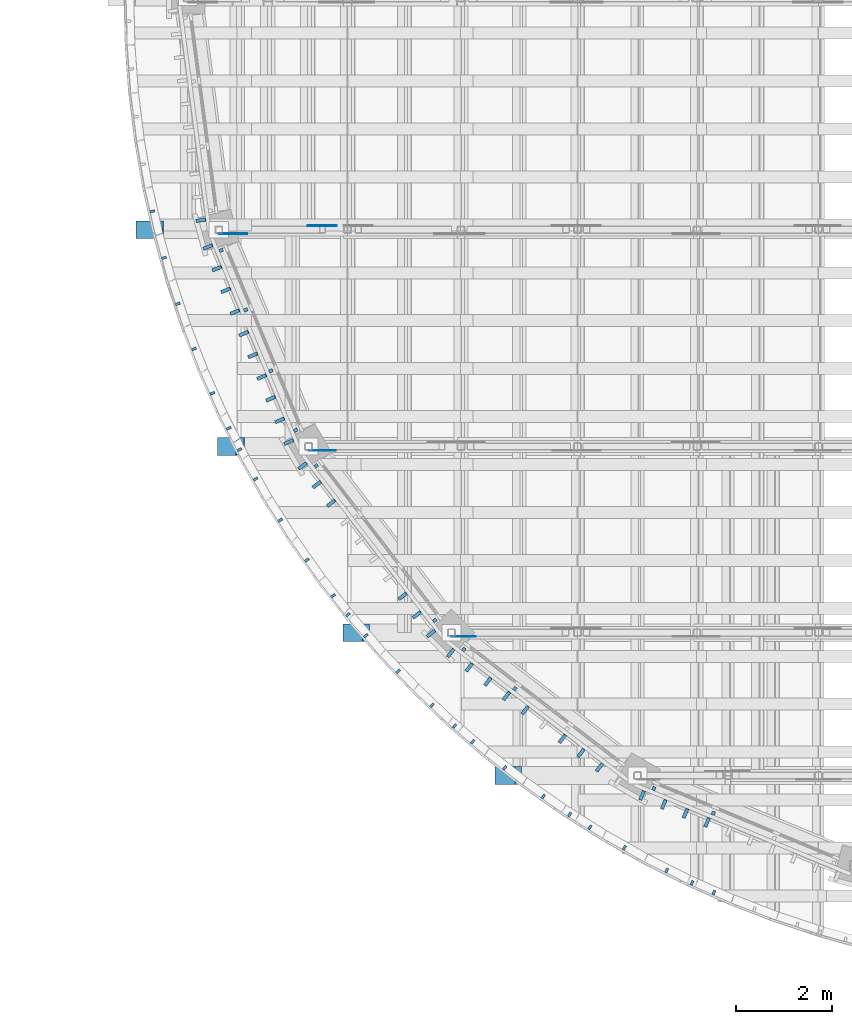
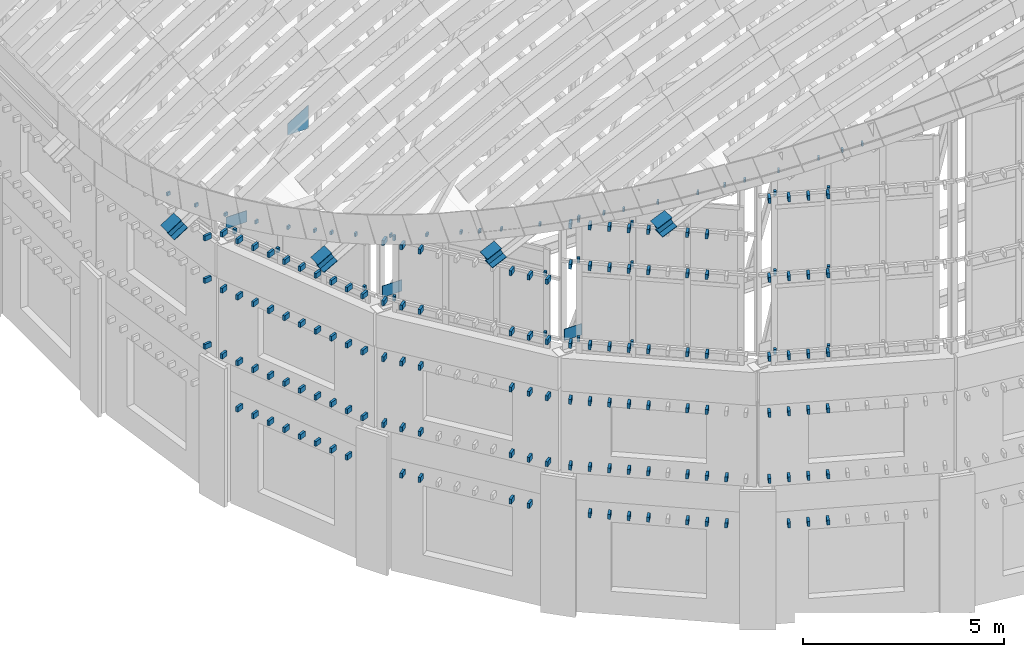
# One storey, part 67 of 105: 188 discrete accessories.
"""IFC4 building model written with IfcOpenShell, lengths in metres."""

from ifc_helpers import new_model, si_unit, direction, frame, origin, origin_2d, place, context, subcontext, project, spatial, polyline, rectangle, i_section, outline, extrude, material, material_profile, profile_set, type_object, element, save


model = new_model("IFC4")

# Units and contexts
model_context = context("Model", 3, precision=1e-05, world=origin(), true_north=direction((0.0, 1.0)))
body_context = subcontext(model_context, "Body", "Model", "MODEL_VIEW")
ifc_project = project(units=[si_unit("LENGTHUNIT", "METRE"), si_unit("AREAUNIT", "SQUARE_METRE"), si_unit("VOLUMEUNIT", "CUBIC_METRE"), si_unit("PLANEANGLEUNIT", "RADIAN"), si_unit("MASSUNIT", "GRAM", prefix="KILO")], contexts=[model_context])

# Site, building, storey
site_placement = place(None, origin())
site = spatial("IfcSite", under=ifc_project, at=site_placement, CompositionType="ELEMENT")
building_placement = place(site_placement, origin())
building = spatial("IfcBuilding", under=site, at=building_placement, Name="Wasatch Bagh Community Centre", CompositionType="ELEMENT")
storey_placement = place(building_placement, frame((0.0, 0.0, 16.800048828125)))
storey = spatial("IfcBuildingStorey", under=building, at=storey_placement, Name="L04", CompositionType="ELEMENT", Elevation=16.800048828125)

# Discrete accessories
ifc_material_1 = material(Name="ASTM A36 steel", Category="steel")
discrete_accessory_type_1 = type_object("IfcDiscreteAccessoryType", Name="MH fascia bracket", PredefinedType="BRACKET", material=ifc_material_1)
for number, where, z_axis, x_axis, name in (
    (1, (28.2158203125, 16.320068359375, 15.327392578125), (0.0, 0.0, 1.0), (-0.405241314005, -0.914209755704, 0.0), "Fascia bracket 49"),
    (2, (27.75927734375, 16.5224609375, 15.172607421875), (0.0, 0.0, 1.0), (-0.405241314005, -0.914209755704, 0.0), "Fascia bracket 50"),
    (3, (27.230712890625, 16.78369140625, 14.9580078125), (0.0, 0.0, 1.0), (-0.449611329655, -0.893224301196, 0.0), "Fascia bracket 51"),
    (4, (26.347900390625, 17.255615234375, 14.5986328125), (0.0, 0.0, 1.0), (-0.49289819223, -0.870086991109, 0.0), "Fascia bracket 52"),
    (5, (25.629150390625, 17.681640625, 14.306396484375), (0.0, 0.0, 1.0), (-0.534997619887, -0.84485356525, 0.0), "Fascia bracket 53"),
    (6, (25.207275390625, 17.94873046875, 14.136962890625), (0.0, 0.0, 1.0), (-0.534997619887, -0.84485356525, 0.0), "Fascia bracket 54"),
    (7, (24.656982421875, 18.326171875, 13.87939453125), (0.0, 0.0, 1.0), (-0.575808191418, -0.817584813152, 0.0), "Fascia bracket 55"),
    (8, (23.85302734375, 18.922607421875, 13.5029296875), (0.0, 0.0, 1.0), (-0.615231590581, -0.788346427627, 0.0), "Fascia bracket 56"),
    (9, (23.18408203125, 19.46728515625, 13.189697265625), (0.0, 0.0, 1.0), (-0.653172842954, -0.757208846506, 0.0), "Fascia bracket 57"),
    (10, (22.805908203125, 19.79345703125, 13.0185546875), (0.0, 0.0, 1.0), (-0.653172842954, -0.757208846506, 0.0), "Fascia bracket 58"),
    (11, (22.337646484375, 20.229736328125, 12.769287109375), (0.0, 0.0, 1.0), (-0.689540544737, -0.724247082951, 0.0), "Fascia bracket 59"),
    (12, (21.6298828125, 20.9375, 12.392333984375), (0.0, 0.0, 1.0), (-0.724247082951, -0.689540544737, 0.0), "Fascia bracket 60"),
    (13, (20.95751953125, 21.67919921875, 12.033935546875), (0.0, 0.0, 1.0), (-0.757208846506, -0.653172842954, 0.0), "Fascia bracket 61"),
    (14, (20.582763671875, 22.11962890625, 11.834716796875), (0.0, 0.0, 1.0), (-0.788346427627, -0.615231590581, 0.0), "Fascia bracket 62"),
    (15, (20.275390625, 22.513427734375, 11.66796875), (0.0, 0.0, 1.0), (-0.788346427627, -0.615231590581, 0.0), "Fascia bracket 63"),
    (16, (19.726318359375, 23.257080078125, 11.337890625), (0.0, 0.0, 1.0), (-0.817584813152, -0.575808191418, 0.0), "Fascia bracket 64"),
    (17, (19.170166015625, 24.08935546875, 11.003662109375), (0.0, 0.0, 1.0), (-0.84485356525, -0.534997619887, 0.0), "Fascia bracket 65"),
    (18, (18.655517578125, 24.947998046875, 10.694580078125), (0.0, 0.0, 1.0), (-0.870086991109, -0.49289819223, 0.0), "Fascia bracket 66"),
    (19, (18.3193359375, 25.56103515625, 10.49267578125), (0.0, 0.0, 1.0), (-0.893224301196, -0.449611329655, 0.0), "Fascia bracket 67"),
    (20, (18.094970703125, 26.007080078125, 10.365234375), (0.0, 0.0, 1.0), (-0.893224301196, -0.449611329655, 0.0), "Fascia bracket 68"),
    (21, (17.755615234375, 26.735595703125, 10.136962890625), (0.0, 0.0, 1.0), (-0.914209755704, -0.405241314005, 0.0), "Fascia bracket 69"),
    (22, (17.37255859375, 27.660400390625, 9.87890625), (0.0, 0.0, 1.0), (-0.932992798835, -0.359895036535, 0.0), "Fascia bracket 70"),
    (23, (17.035400390625, 28.602783203125, 9.65185546875), (0.0, 0.0, 1.0), (-0.949528180593, -0.313681740399, 0.0), "Fascia bracket 71"),
    (24, (16.744873046875, 29.560791015625, 9.4560546875), (0.0, 0.0, 1.0), (-0.963776065795, -0.266712757475, 0.0), "Fascia bracket 72"),
    (25, (16.501708984375, 30.53173828125, 9.292236328125), (0.0, 0.0, 1.0), (-0.975702130039, -0.219101240157, 0.0), "Fascia bracket 73"),
):
    element("IfcDiscreteAccessory", number, at=place(storey_placement, frame(where, z_axis=z_axis, x_axis=x_axis)), inside=storey, type_object=discrete_accessory_type_1, Name=name, PredefinedType="BRACKET", context=body_context, shape_type="SweptSolid", body=[
        extrude(rectangle(XDim=0.10009765625, YDim=0.050048828125, at=origin_2d()), origin(), (0.0, 0.0, 1.0), 0.10009765625),
    ])
discrete_accessory_type_2 = type_object("IfcDiscreteAccessoryType", Name="MH fin bracket", PredefinedType="BRACKET", material=ifc_material_1)
for number, where, z_axis, x_axis, name in (
    (26, (17.510009765625, 30.343994140625, 4.425048828125), (0.0, 0.0, 1.0), (0.13052619222, -0.991444861374, 0.0), "Fin bracket 1.10.5"),
    (27, (17.510009765625, 30.343994140625, 6.425048828125), (0.0, 0.0, 1.0), (0.13052619222, -0.991444861374, 0.0), "Fin bracket 1.10.6"),
    (28, (17.6591796875, 29.787109375, 4.425048828125), (0.0, 0.0, 1.0), (0.382683432365, -0.923879532511, 0.0), "Fin bracket 2.1.5"),
    (29, (17.6591796875, 29.787109375, 6.425048828125), (0.0, 0.0, 1.0), (0.382683432365, -0.923879532511, 0.0), "Fin bracket 2.1.6"),
    (30, (17.846435546875, 29.3349609375, 3.02490234375), (0.0, 0.0, 1.0), (0.382683432365, -0.923879532511, 0.0), "Fin bracket 2.2.4"),
    (31, (17.846435546875, 29.3349609375, 4.425048828125), (0.0, 0.0, 1.0), (0.382683432365, -0.923879532511, 0.0), "Fin bracket 2.2.5"),
    (32, (17.846435546875, 29.3349609375, 6.425048828125), (0.0, 0.0, 1.0), (0.382683432365, -0.923879532511, 0.0), "Fin bracket 2.2.6"),
    (33, (18.033935546875, 28.882568359375, 3.02490234375), (0.0, 0.0, 1.0), (0.382683432365, -0.923879532511, 0.0), "Fin bracket 2.3.4"),
    (34, (18.033935546875, 28.882568359375, 4.425048828125), (0.0, 0.0, 1.0), (0.382683432365, -0.923879532511, 0.0), "Fin bracket 2.3.5"),
    (35, (18.033935546875, 28.882568359375, 6.425048828125), (0.0, 0.0, 1.0), (0.382683432365, -0.923879532511, 0.0), "Fin bracket 2.3.6"),
    (36, (18.22119140625, 28.430419921875, 3.02490234375), (0.0, 0.0, 1.0), (0.382683432365, -0.923879532511, 0.0), "Fin bracket 2.4.4"),
    (37, (18.22119140625, 28.430419921875, 4.425048828125), (0.0, 0.0, 1.0), (0.382683432365, -0.923879532511, 0.0), "Fin bracket 2.4.5"),
    (38, (18.22119140625, 28.430419921875, 6.425048828125), (0.0, 0.0, 1.0), (0.382683432365, -0.923879532511, 0.0), "Fin bracket 2.4.6"),
    (39, (18.408447265625, 27.978271484375, 3.02490234375), (0.0, 0.0, 1.0), (0.382683432365, -0.923879532511, 0.0), "Fin bracket 2.5.4"),
    (40, (18.408447265625, 27.978271484375, 4.425048828125), (0.0, 0.0, 1.0), (0.382683432365, -0.923879532511, 0.0), "Fin bracket 2.5.5"),
    (41, (18.408447265625, 27.978271484375, 6.425048828125), (0.0, 0.0, 1.0), (0.382683432365, -0.923879532511, 0.0), "Fin bracket 2.5.6"),
    (42, (18.595703125, 27.526123046875, 3.02490234375), (0.0, 0.0, 1.0), (0.382683432365, -0.923879532511, 0.0), "Fin bracket 2.6.4"),
    (43, (18.595703125, 27.526123046875, 4.425048828125), (0.0, 0.0, 1.0), (0.382683432365, -0.923879532511, 0.0), "Fin bracket 2.6.5"),
    (44, (18.595703125, 27.526123046875, 6.425048828125), (0.0, 0.0, 1.0), (0.382683432365, -0.923879532511, 0.0), "Fin bracket 2.6.6"),
    (45, (18.782958984375, 27.07373046875, 3.02490234375), (0.0, 0.0, 1.0), (0.382683432365, -0.923879532511, 0.0), "Fin bracket 2.7.4"),
    (46, (18.782958984375, 27.07373046875, 4.425048828125), (0.0, 0.0, 1.0), (0.382683432365, -0.923879532511, 0.0), "Fin bracket 2.7.5"),
    (47, (18.782958984375, 27.07373046875, 6.425048828125), (0.0, 0.0, 1.0), (0.382683432365, -0.923879532511, 0.0), "Fin bracket 2.7.6"),
    (48, (18.970458984375, 26.62158203125, 3.02490234375), (0.0, 0.0, 1.0), (0.382683432365, -0.923879532511, 0.0), "Fin bracket 2.8.4"),
    (49, (18.970458984375, 26.62158203125, 4.425048828125), (0.0, 0.0, 1.0), (0.382683432365, -0.923879532511, 0.0), "Fin bracket 2.8.5"),
    (50, (18.970458984375, 26.62158203125, 6.425048828125), (0.0, 0.0, 1.0), (0.382683432365, -0.923879532511, 0.0), "Fin bracket 2.8.6"),
    (51, (19.15771484375, 26.16943359375, 3.02490234375), (0.0, 0.0, 1.0), (0.382683432365, -0.923879532511, 0.0), "Fin bracket 2.9.4"),
    (52, (19.15771484375, 26.16943359375, 4.425048828125), (0.0, 0.0, 1.0), (0.382683432365, -0.923879532511, 0.0), "Fin bracket 2.9.5"),
    (53, (19.15771484375, 26.16943359375, 6.425048828125), (0.0, 0.0, 1.0), (0.382683432365, -0.923879532511, 0.0), "Fin bracket 2.9.6"),
    (54, (19.344970703125, 25.71728515625, 4.425048828125), (0.0, 0.0, 1.0), (0.382683432365, -0.923879532511, 0.0), "Fin bracket 2.10.5"),
    (55, (19.344970703125, 25.71728515625, 6.425048828125), (0.0, 0.0, 1.0), (0.382683432365, -0.923879532511, 0.0), "Fin bracket 2.10.6"),
    (56, (19.63330078125, 25.2177734375, 4.425048828125), (0.0, 0.0, 1.0), (0.608761429009, -0.793353340291, 0.0), "Fin bracket 3.1.5"),
    (57, (19.63330078125, 25.2177734375, 6.425048828125), (0.0, 0.0, 1.0), (0.608761429009, -0.793353340291, 0.0), "Fin bracket 3.1.6"),
    (58, (19.931396484375, 24.829345703125, 3.02490234375), (0.0, 0.0, 1.0), (0.608761429009, -0.793353340291, 0.0), "Fin bracket 3.2.4"),
    (59, (19.931396484375, 24.829345703125, 4.425048828125), (0.0, 0.0, 1.0), (0.608761429009, -0.793353340291, 0.0), "Fin bracket 3.2.5"),
    (60, (19.931396484375, 24.829345703125, 6.425048828125), (0.0, 0.0, 1.0), (0.608761429009, -0.793353340291, 0.0), "Fin bracket 3.2.6"),
    (61, (20.229248046875, 24.441162109375, 3.02490234375), (0.0, 0.0, 1.0), (0.608761429009, -0.793353340291, 0.0), "Fin bracket 3.3.4"),
    (62, (20.229248046875, 24.441162109375, 4.425048828125), (0.0, 0.0, 1.0), (0.608761429009, -0.793353340291, 0.0), "Fin bracket 3.3.5"),
    (63, (20.229248046875, 24.441162109375, 6.425048828125), (0.0, 0.0, 1.0), (0.608761429009, -0.793353340291, 0.0), "Fin bracket 3.3.6"),
    (64, (21.71923828125, 22.49951171875, 3.02490234375), (0.0, 0.0, 1.0), (0.608761429009, -0.793353340291, 0.0), "Fin bracket 3.8.4"),
    (65, (21.71923828125, 22.49951171875, 4.425048828125), (0.0, 0.0, 1.0), (0.608761429009, -0.793353340291, 0.0), "Fin bracket 3.8.5"),
    (66, (21.71923828125, 22.49951171875, 6.425048828125), (0.0, 0.0, 1.0), (0.608761429009, -0.793353340291, 0.0), "Fin bracket 3.8.6"),
    (67, (22.01708984375, 22.111083984375, 3.02490234375), (0.0, 0.0, 1.0), (0.608761429009, -0.793353340291, 0.0), "Fin bracket 3.9.4"),
    (68, (22.01708984375, 22.111083984375, 4.425048828125), (0.0, 0.0, 1.0), (0.608761429009, -0.793353340291, 0.0), "Fin bracket 3.9.5"),
    (69, (22.01708984375, 22.111083984375, 6.425048828125), (0.0, 0.0, 1.0), (0.608761429009, -0.793353340291, 0.0), "Fin bracket 3.9.6"),
    (70, (22.315185546875, 21.722900390625, 4.425048828125), (0.0, 0.0, 1.0), (0.608761429009, -0.793353340291, 0.0), "Fin bracket 3.10.5"),
    (71, (22.315185546875, 21.722900390625, 6.425048828125), (0.0, 0.0, 1.0), (0.608761429009, -0.793353340291, 0.0), "Fin bracket 3.10.6"),
    (72, (22.722900390625, 21.315185546875, 4.425048828125), (0.0, 0.0, 1.0), (0.793353340291, -0.608761429009, 0.0), "Fin bracket 4.1.5"),
    (73, (22.722900390625, 21.315185546875, 6.425048828125), (0.0, 0.0, 1.0), (0.793353340291, -0.608761429009, 0.0), "Fin bracket 4.1.6"),
    (74, (23.111083984375, 21.01708984375, 3.02490234375), (0.0, 0.0, 1.0), (0.793353340291, -0.608761429009, 0.0), "Fin bracket 4.2.4"),
    (75, (23.111083984375, 21.01708984375, 4.425048828125), (0.0, 0.0, 1.0), (0.793353340291, -0.608761429009, 0.0), "Fin bracket 4.2.5"),
    (76, (23.111083984375, 21.01708984375, 6.425048828125), (0.0, 0.0, 1.0), (0.793353340291, -0.608761429009, 0.0), "Fin bracket 4.2.6"),
    (77, (23.49951171875, 20.71923828125, 3.02490234375), (0.0, 0.0, 1.0), (0.793353340291, -0.608761429009, 0.0), "Fin bracket 4.3.4"),
    (78, (23.49951171875, 20.71923828125, 4.425048828125), (0.0, 0.0, 1.0), (0.793353340291, -0.608761429009, 0.0), "Fin bracket 4.3.5"),
    (79, (23.49951171875, 20.71923828125, 6.425048828125), (0.0, 0.0, 1.0), (0.793353340291, -0.608761429009, 0.0), "Fin bracket 4.3.6"),
    (80, (23.887939453125, 20.421142578125, 3.02490234375), (0.0, 0.0, 1.0), (0.793353340291, -0.608761429009, 0.0), "Fin bracket 4.4.4"),
    (81, (23.887939453125, 20.421142578125, 4.425048828125), (0.0, 0.0, 1.0), (0.793353340291, -0.608761429009, 0.0), "Fin bracket 4.4.5"),
    (82, (23.887939453125, 20.421142578125, 6.425048828125), (0.0, 0.0, 1.0), (0.793353340291, -0.608761429009, 0.0), "Fin bracket 4.4.6"),
    (83, (24.276123046875, 20.123291015625, 3.02490234375), (0.0, 0.0, 1.0), (0.793353340291, -0.608761429009, 0.0), "Fin bracket 4.5.4"),
    (84, (24.276123046875, 20.123291015625, 4.425048828125), (0.0, 0.0, 1.0), (0.793353340291, -0.608761429009, 0.0), "Fin bracket 4.5.5"),
    (85, (24.276123046875, 20.123291015625, 6.425048828125), (0.0, 0.0, 1.0), (0.793353340291, -0.608761429009, 0.0), "Fin bracket 4.5.6"),
    (86, (25.052734375, 19.52734375, 3.02490234375), (0.0, 0.0, 1.0), (0.793353340291, -0.608761429009, 0.0), "Fin bracket 4.7.4"),
    (87, (25.052734375, 19.52734375, 4.425048828125), (0.0, 0.0, 1.0), (0.793353340291, -0.608761429009, 0.0), "Fin bracket 4.7.5"),
    (88, (25.052734375, 19.52734375, 6.425048828125), (0.0, 0.0, 1.0), (0.793353340291, -0.608761429009, 0.0), "Fin bracket 4.7.6"),
    (89, (25.441162109375, 19.229248046875, 3.02490234375), (0.0, 0.0, 1.0), (0.793353340291, -0.608761429009, 0.0), "Fin bracket 4.8.4"),
    (90, (25.441162109375, 19.229248046875, 4.425048828125), (0.0, 0.0, 1.0), (0.793353340291, -0.608761429009, 0.0), "Fin bracket 4.8.5"),
    (91, (25.441162109375, 19.229248046875, 6.425048828125), (0.0, 0.0, 1.0), (0.793353340291, -0.608761429009, 0.0), "Fin bracket 4.8.6"),
    (92, (25.829345703125, 18.931396484375, 3.02490234375), (0.0, 0.0, 1.0), (0.793353340291, -0.608761429009, 0.0), "Fin bracket 4.9.4"),
    (93, (25.829345703125, 18.931396484375, 4.425048828125), (0.0, 0.0, 1.0), (0.793353340291, -0.608761429009, 0.0), "Fin bracket 4.9.5"),
    (94, (26.71728515625, 18.344970703125, 4.425048828125), (0.0, 0.0, 1.0), (0.923879532511, -0.382683432365, 0.0), "Fin bracket 5.1.5"),
    (95, (26.71728515625, 18.344970703125, 6.425048828125), (0.0, 0.0, 1.0), (0.923879532511, -0.382683432365, 0.0), "Fin bracket 5.1.6"),
    (96, (27.16943359375, 18.15771484375, 3.02490234375), (0.0, 0.0, 1.0), (0.923879532511, -0.382683432365, 0.0), "Fin bracket 5.2.4"),
    (97, (27.16943359375, 18.15771484375, 4.425048828125), (0.0, 0.0, 1.0), (0.923879532511, -0.382683432365, 0.0), "Fin bracket 5.2.5"),
    (98, (27.16943359375, 18.15771484375, 6.425048828125), (0.0, 0.0, 1.0), (0.923879532511, -0.382683432365, 0.0), "Fin bracket 5.2.6"),
    (99, (27.62158203125, 17.970458984375, 3.02490234375), (0.0, 0.0, 1.0), (0.923879532511, -0.382683432365, 0.0), "Fin bracket 5.3.4"),
    (100, (27.62158203125, 17.970458984375, 4.425048828125), (0.0, 0.0, 1.0), (0.923879532511, -0.382683432365, 0.0), "Fin bracket 5.3.5"),
    (101, (27.62158203125, 17.970458984375, 6.425048828125), (0.0, 0.0, 1.0), (0.923879532511, -0.382683432365, 0.0), "Fin bracket 5.3.6"),
    (102, (28.07373046875, 17.782958984375, 3.02490234375), (0.0, 0.0, 1.0), (0.923879532511, -0.382683432365, 0.0), "Fin bracket 5.4.4"),
    (103, (28.07373046875, 17.782958984375, 4.425048828125), (0.0, 0.0, 1.0), (0.923879532511, -0.382683432365, 0.0), "Fin bracket 5.4.5"),
    (104, (28.07373046875, 17.782958984375, 6.425048828125), (0.0, 0.0, 1.0), (0.923879532511, -0.382683432365, 0.0), "Fin bracket 5.4.6"),
):
    element("IfcDiscreteAccessory", number, at=place(storey_placement, frame(where, z_axis=z_axis, x_axis=x_axis)), inside=storey, type_object=discrete_accessory_type_2, Name=name, PredefinedType="BRACKET", context=body_context, shape_type="SweptSolid", body=[
        extrude(rectangle(XDim=0.070068359375, YDim=0.199951171875, at=origin_2d()), origin(), (0.0, 0.0, 1.0), 0.14990234375),
    ])
discrete_accessory_type_3 = type_object("IfcDiscreteAccessoryType", Name="MH fin bracket (rail)", PredefinedType="BRACKET", material=ifc_material_1)
for number, where, z_axis, x_axis, name in (
    (105, (17.514892578125, 30.3447265625, 7.715087890625), (0.0, 0.0, 1.0), (0.13052619222, -0.991444861374, 0.0), "Fin bracket 1.10.r1"),
    (106, (17.663818359375, 29.7890625, 8.125), (0.0, 0.0, 1.0), (0.382683432365, -0.923879532511, 0.0), "Fin bracket 2.1.r1"),
    (107, (17.85107421875, 29.3369140625, 8.125), (0.0, 0.0, 1.0), (0.382683432365, -0.923879532511, 0.0), "Fin bracket 2.2.r1"),
    (108, (18.038330078125, 28.884521484375, 8.125), (0.0, 0.0, 1.0), (0.382683432365, -0.923879532511, 0.0), "Fin bracket 2.3.r1"),
    (109, (18.225830078125, 28.432373046875, 8.125), (0.0, 0.0, 1.0), (0.382683432365, -0.923879532511, 0.0), "Fin bracket 2.4.r1"),
    (110, (18.4130859375, 27.980224609375, 8.125), (0.0, 0.0, 1.0), (0.382683432365, -0.923879532511, 0.0), "Fin bracket 2.5.r1"),
    (111, (18.600341796875, 27.52783203125, 8.125), (0.0, 0.0, 1.0), (0.382683432365, -0.923879532511, 0.0), "Fin bracket 2.6.r1"),
    (112, (18.78759765625, 27.07568359375, 8.125), (0.0, 0.0, 1.0), (0.382683432365, -0.923879532511, 0.0), "Fin bracket 2.7.r1"),
    (113, (18.97509765625, 26.62353515625, 8.125), (0.0, 0.0, 1.0), (0.382683432365, -0.923879532511, 0.0), "Fin bracket 2.8.r1"),
    (114, (19.162353515625, 26.17138671875, 8.125), (0.0, 0.0, 1.0), (0.382683432365, -0.923879532511, 0.0), "Fin bracket 2.9.r1"),
    (115, (19.349609375, 25.718994140625, 8.125), (0.0, 0.0, 1.0), (0.382683432365, -0.923879532511, 0.0), "Fin bracket 2.10.r1"),
    (116, (19.63720703125, 25.220703125, 8.125), (0.0, 0.0, 1.0), (0.608761429009, -0.793353340291, 0.0), "Fin bracket 3.1.r1"),
    (117, (19.935302734375, 24.83251953125, 8.125), (0.0, 0.0, 1.0), (0.608761429009, -0.793353340291, 0.0), "Fin bracket 3.2.r1"),
    (118, (20.233154296875, 24.444091796875, 8.125), (0.0, 0.0, 1.0), (0.608761429009, -0.793353340291, 0.0), "Fin bracket 3.3.r1"),
    (119, (21.72314453125, 22.50244140625, 8.125), (0.0, 0.0, 1.0), (0.608761429009, -0.793353340291, 0.0), "Fin bracket 3.8.r1"),
    (120, (22.02099609375, 22.1142578125, 8.125), (0.0, 0.0, 1.0), (0.608761429009, -0.793353340291, 0.0), "Fin bracket 3.9.r1"),
    (121, (22.319091796875, 21.725830078125, 8.125), (0.0, 0.0, 1.0), (0.608761429009, -0.793353340291, 0.0), "Fin bracket 3.10.r1"),
    (122, (19.63720703125, 25.220703125, 9.955078125), (0.0, 0.0, 1.0), (0.608761429009, -0.793353340291, 0.0), "Fin bracket 3.1.r2"),
    (123, (19.935302734375, 24.83251953125, 9.955078125), (0.0, 0.0, 1.0), (0.608761429009, -0.793353340291, 0.0), "Fin bracket 3.2.r2"),
    (124, (20.233154296875, 24.444091796875, 9.955078125), (0.0, 0.0, 1.0), (0.608761429009, -0.793353340291, 0.0), "Fin bracket 3.3.r2"),
    (125, (21.72314453125, 22.50244140625, 9.955078125), (0.0, 0.0, 1.0), (0.608761429009, -0.793353340291, 0.0), "Fin bracket 3.8.r2"),
    (126, (22.02099609375, 22.1142578125, 9.955078125), (0.0, 0.0, 1.0), (0.608761429009, -0.793353340291, 0.0), "Fin bracket 3.9.r2"),
    (127, (22.319091796875, 21.725830078125, 9.955078125), (0.0, 0.0, 1.0), (0.608761429009, -0.793353340291, 0.0), "Fin bracket 3.10.r2"),
    (128, (22.725830078125, 21.319091796875, 8.125), (0.0, 0.0, 1.0), (0.793353340291, -0.608761429009, 0.0), "Fin bracket 4.1.r1"),
    (129, (23.1142578125, 21.02099609375, 8.125), (0.0, 0.0, 1.0), (0.793353340291, -0.608761429009, 0.0), "Fin bracket 4.2.r1"),
    (130, (23.50244140625, 20.72314453125, 8.125), (0.0, 0.0, 1.0), (0.793353340291, -0.608761429009, 0.0), "Fin bracket 4.3.r1"),
    (131, (23.890869140625, 20.425048828125, 8.125), (0.0, 0.0, 1.0), (0.793353340291, -0.608761429009, 0.0), "Fin bracket 4.4.r1"),
    (132, (24.279296875, 20.127197265625, 8.125), (0.0, 0.0, 1.0), (0.793353340291, -0.608761429009, 0.0), "Fin bracket 4.5.r1"),
    (133, (25.055908203125, 19.53125, 8.125), (0.0, 0.0, 1.0), (0.793353340291, -0.608761429009, 0.0), "Fin bracket 4.7.r1"),
    (134, (25.444091796875, 19.233154296875, 8.125), (0.0, 0.0, 1.0), (0.793353340291, -0.608761429009, 0.0), "Fin bracket 4.8.r1"),
    (135, (22.725830078125, 21.319091796875, 10.52490234375), (0.0, 0.0, 1.0), (0.793353340291, -0.608761429009, 0.0), "Fin bracket 4.1.r2"),
    (136, (23.1142578125, 21.02099609375, 10.52490234375), (0.0, 0.0, 1.0), (0.793353340291, -0.608761429009, 0.0), "Fin bracket 4.2.r2"),
    (137, (23.50244140625, 20.72314453125, 10.52490234375), (0.0, 0.0, 1.0), (0.793353340291, -0.608761429009, 0.0), "Fin bracket 4.3.r2"),
    (138, (23.890869140625, 20.425048828125, 10.52490234375), (0.0, 0.0, 1.0), (0.793353340291, -0.608761429009, 0.0), "Fin bracket 4.4.r2"),
    (139, (24.279296875, 20.127197265625, 10.52490234375), (0.0, 0.0, 1.0), (0.793353340291, -0.608761429009, 0.0), "Fin bracket 4.5.r2"),
    (140, (25.055908203125, 19.53125, 10.52490234375), (0.0, 0.0, 1.0), (0.793353340291, -0.608761429009, 0.0), "Fin bracket 4.7.r2"),
    (141, (25.444091796875, 19.233154296875, 10.52490234375), (0.0, 0.0, 1.0), (0.793353340291, -0.608761429009, 0.0), "Fin bracket 4.8.r2"),
    (142, (22.725830078125, 21.319091796875, 11.7548828125), (0.0, 0.0, 1.0), (0.793353340291, -0.608761429009, 0.0), "Fin bracket 4.1.r3"),
    (143, (23.1142578125, 21.02099609375, 11.7548828125), (0.0, 0.0, 1.0), (0.793353340291, -0.608761429009, 0.0), "Fin bracket 4.2.r3"),
    (144, (23.50244140625, 20.72314453125, 11.7548828125), (0.0, 0.0, 1.0), (0.793353340291, -0.608761429009, 0.0), "Fin bracket 4.3.r3"),
    (145, (23.890869140625, 20.425048828125, 11.7548828125), (0.0, 0.0, 1.0), (0.793353340291, -0.608761429009, 0.0), "Fin bracket 4.4.r3"),
    (146, (24.279296875, 20.127197265625, 11.7548828125), (0.0, 0.0, 1.0), (0.793353340291, -0.608761429009, 0.0), "Fin bracket 4.5.r3"),
    (147, (25.055908203125, 19.53125, 11.7548828125), (0.0, 0.0, 1.0), (0.793353340291, -0.608761429009, 0.0), "Fin bracket 4.7.r3"),
    (148, (25.444091796875, 19.233154296875, 11.7548828125), (0.0, 0.0, 1.0), (0.793353340291, -0.608761429009, 0.0), "Fin bracket 4.8.r3"),
    (149, (26.718994140625, 18.349609375, 8.125), (0.0, 0.0, 1.0), (0.923879532511, -0.382683432365, 0.0), "Fin bracket 5.1.r1"),
    (150, (27.17138671875, 18.162353515625, 8.125), (0.0, 0.0, 1.0), (0.923879532511, -0.382683432365, 0.0), "Fin bracket 5.2.r1"),
    (151, (27.62353515625, 17.97509765625, 8.125), (0.0, 0.0, 1.0), (0.923879532511, -0.382683432365, 0.0), "Fin bracket 5.3.r1"),
    (152, (28.07568359375, 17.78759765625, 8.125), (0.0, 0.0, 1.0), (0.923879532511, -0.382683432365, 0.0), "Fin bracket 5.4.r1"),
    (153, (26.718994140625, 18.349609375, 10.52490234375), (0.0, 0.0, 1.0), (0.923879532511, -0.382683432365, 0.0), "Fin bracket 5.1.r2"),
    (154, (27.17138671875, 18.162353515625, 10.52490234375), (0.0, 0.0, 1.0), (0.923879532511, -0.382683432365, 0.0), "Fin bracket 5.2.r2"),
    (155, (27.62353515625, 17.97509765625, 10.52490234375), (0.0, 0.0, 1.0), (0.923879532511, -0.382683432365, 0.0), "Fin bracket 5.3.r2"),
    (156, (28.07568359375, 17.78759765625, 10.52490234375), (0.0, 0.0, 1.0), (0.923879532511, -0.382683432365, 0.0), "Fin bracket 5.4.r2"),
    (157, (26.718994140625, 18.349609375, 12.925048828125), (0.0, 0.0, 1.0), (0.923879532511, -0.382683432365, 0.0), "Fin bracket 5.1.r3"),
    (158, (27.17138671875, 18.162353515625, 12.925048828125), (0.0, 0.0, 1.0), (0.923879532511, -0.382683432365, 0.0), "Fin bracket 5.2.r3"),
    (159, (27.62353515625, 17.97509765625, 12.925048828125), (0.0, 0.0, 1.0), (0.923879532511, -0.382683432365, 0.0), "Fin bracket 5.3.r3"),
    (160, (28.07568359375, 17.78759765625, 12.925048828125), (0.0, 0.0, 1.0), (0.923879532511, -0.382683432365, 0.0), "Fin bracket 5.4.r3"),
):
    element("IfcDiscreteAccessory", number, at=place(storey_placement, frame(where, z_axis=z_axis, x_axis=x_axis)), inside=storey, type_object=discrete_accessory_type_3, Name=name, PredefinedType="BRACKET", context=body_context, shape_type="SweptSolid", body=[
        extrude(rectangle(XDim=0.070068359375, YDim=0.2099609375, at=origin_2d()), origin(), (0.0, 0.0, 1.0), 0.14990234375),
    ])
discrete_accessory_type_4 = type_object("IfcDiscreteAccessoryType", Name="MH fin rail stand-off", PredefinedType="BRACKET", material=ifc_material_1)
for number, where, z_axis, x_axis, name in (
    (161, (17.9375, 29.716552734375, 8.125), (0.0, 0.0, 1.0), (0.382683432365, -0.923879532511, 0.0), "Rail stand-off 2.1.1"),
    (162, (18.45166015625, 28.474853515625, 8.125), (0.0, 0.0, 1.0), (0.382683432365, -0.923879532511, 0.0), "Rail stand-off 2.1.2"),
    (163, (18.9775390625, 27.20556640625, 8.125), (0.0, 0.0, 1.0), (0.382683432365, -0.923879532511, 0.0), "Rail stand-off 2.1.3"),
    (164, (19.49169921875, 25.9638671875, 8.125), (0.0, 0.0, 1.0), (0.382683432365, -0.923879532511, 0.0), "Rail stand-off 2.1.4"),
    (165, (19.92041015625, 25.2216796875, 8.125), (0.0, 0.0, 1.0), (0.608761429009, -0.793353340291, 0.0), "Rail stand-off 3.1.1"),
    (166, (22.39306640625, 21.9990234375, 8.125), (0.0, 0.0, 1.0), (0.608761429009, -0.793353340291, 0.0), "Rail stand-off 3.1.4"),
    (167, (19.92041015625, 25.2216796875, 9.955078125), (0.0, 0.0, 1.0), (0.608761429009, -0.793353340291, 0.0), "Rail stand-off 3.2.1"),
    (168, (22.39306640625, 21.9990234375, 9.955078125), (0.0, 0.0, 1.0), (0.608761429009, -0.793353340291, 0.0), "Rail stand-off 3.2.4"),
    (169, (22.9990234375, 21.39306640625, 8.125), (0.0, 0.0, 1.0), (0.793353340291, -0.608761429009, 0.0), "Rail stand-off 4.1.1"),
    (170, (24.065185546875, 20.574951171875, 8.125), (0.0, 0.0, 1.0), (0.793353340291, -0.608761429009, 0.0), "Rail stand-off 4.1.2"),
    (171, (22.9990234375, 21.39306640625, 10.52490234375), (0.0, 0.0, 1.0), (0.793353340291, -0.608761429009, 0.0), "Rail stand-off 4.2.1"),
    (172, (24.065185546875, 20.574951171875, 10.52490234375), (0.0, 0.0, 1.0), (0.793353340291, -0.608761429009, 0.0), "Rail stand-off 4.2.2"),
    (173, (22.9990234375, 21.39306640625, 11.7548828125), (0.0, 0.0, 1.0), (0.793353340291, -0.608761429009, 0.0), "Rail stand-off 4.3.1"),
    (174, (24.065185546875, 20.574951171875, 11.7548828125), (0.0, 0.0, 1.0), (0.793353340291, -0.608761429009, 0.0), "Rail stand-off 4.3.2"),
    (175, (26.9638671875, 18.49169921875, 8.125), (0.0, 0.0, 1.0), (0.923879532511, -0.382683432365, 0.0), "Rail stand-off 5.1.1"),
    (176, (28.20556640625, 17.9775390625, 8.125), (0.0, 0.0, 1.0), (0.923879532511, -0.382683432365, 0.0), "Rail stand-off 5.1.2"),
    (177, (26.9638671875, 18.49169921875, 10.52490234375), (0.0, 0.0, 1.0), (0.923879532511, -0.382683432365, 0.0), "Rail stand-off 5.2.1"),
    (178, (28.20556640625, 17.9775390625, 10.52490234375), (0.0, 0.0, 1.0), (0.923879532511, -0.382683432365, 0.0), "Rail stand-off 5.2.2"),
    (179, (26.9638671875, 18.49169921875, 12.925048828125), (0.0, 0.0, 1.0), (0.923879532511, -0.382683432365, 0.0), "Rail stand-off 5.3.1"),
    (180, (28.20556640625, 17.9775390625, 12.925048828125), (0.0, 0.0, 1.0), (0.923879532511, -0.382683432365, 0.0), "Rail stand-off 5.3.2"),
):
    element("IfcDiscreteAccessory", number, at=place(storey_placement, frame(where, z_axis=z_axis, x_axis=x_axis)), inside=storey, type_object=discrete_accessory_type_4, Name=name, PredefinedType="BRACKET", context=body_context, shape_type="SweptSolid", body=[
        extrude(rectangle(XDim=0.070068359375, YDim=0.080078125, at=origin_2d()), origin(), (0.0, 0.0, 1.0), 0.14990234375),
    ])
ifc_material_2 = material(Name="ASTM A992 Grade 50 steel", Category="steel")
ifc_material_profile = material_profile(ifc_material_2, i_section(OverallWidth=0.368408203125, OverallDepth=0.355712890625, WebThickness=0.01123046875, FlangeThickness=0.01806640625, at=origin_2d()), Name="W14x90")
ifc_profile_set = profile_set([ifc_material_profile], Name="ASTM A992 Grade 50 steel")
discrete_accessory_type_5 = type_object("IfcDiscreteAccessoryType", Name="MH steel truss tail W14x90", PredefinedType="BRACKET", material=ifc_profile_set)
for number, where, z_axis, x_axis, name in (
    (181, (16.63720703125, 30.147216796875, 8.71337890625), (-0.844197227368, 0.0, -0.536032686787), (0.0, -1.0, 0.0), "Truss tail TS1"),
    (182, (18.338134765625, 25.625, 9.8642578125), (-0.869043202276, 0.0, -0.494736205041), (0.0, -1.0, 0.0), "Truss tail TS2"),
):
    element("IfcDiscreteAccessory", number, at=place(storey_placement, frame(where, z_axis=z_axis, x_axis=x_axis)), inside=storey, type_object=discrete_accessory_type_5, Name=name, PredefinedType="BRACKET", context=body_context, shape_type="SweptSolid", body=[
        extrude(i_section(OverallWidth=0.368408203125, OverallDepth=0.355712890625, WebThickness=0.01123046875, FlangeThickness=0.01806640625, at=origin_2d()), origin(), (0.0, 0.0, 1.0), 0.449951171875),
    ])
discrete_accessory_1_placement = place(storey_placement, frame((20.961669921875, 21.74169921875, 11.42431640625), z_axis=(-0.905836401699, 0.0, -0.423627682471), x_axis=(0.0, -1.0, 0.0)))
element("IfcDiscreteAccessory", 183, at=discrete_accessory_1_placement, inside=storey, type_object=discrete_accessory_type_5, Name="Truss tail TS3", PredefinedType="BRACKET", context=body_context, shape_type="SweptSolid", body=[
    extrude(i_section(OverallWidth=0.368408203125, OverallDepth=0.355712890625, WebThickness=0.01123046875, FlangeThickness=0.01806640625, at=origin_2d()), origin(), (0.0, 0.0, 1.0), 0.4501953125),
])
discrete_accessory_2_placement = place(storey_placement, frame((24.13427734375, 18.761962890625, 13.04931640625), z_axis=(-0.915658639261, 0.0, -0.401956784178), x_axis=(0.0, -1.0, 0.0)))
element("IfcDiscreteAccessory", 184, at=discrete_accessory_2_placement, inside=storey, type_object=discrete_accessory_type_5, Name="Truss tail TS4", PredefinedType="BRACKET", context=body_context, shape_type="SweptSolid", body=[
    extrude(i_section(OverallWidth=0.368408203125, OverallDepth=0.355712890625, WebThickness=0.01123046875, FlangeThickness=0.01806640625, at=origin_2d()), origin(), (0.0, 0.0, 1.0), 0.449951171875),
])
discrete_accessory_3_placement = place(storey_placement, frame((17.888916015625, 30.058349609375, 8.071044921875), z_axis=(0.0, -1.0, 0.0), x_axis=(1.0, 0.0, 0.0)))
element("IfcDiscreteAccessory", 185, at=discrete_accessory_3_placement, inside=storey, Name="Gusset plate", PredefinedType="BRACKET", context=body_context, shape_type="SweptSolid", body=[
    extrude(outline(polyline([(0.0, 0.0), (0.593505859375, 0.0), (0.593505859375, 0.35009765625), (0.0, 0.35009765625), (0.0, 0.0)])), origin(), (0.0, 0.0, -1.0), 0.011962890625),
])
discrete_accessory_4_placement = place(storey_placement, frame((19.749755859375, 30.23583984375, 10.507080078125), z_axis=(0.0, 1.0, 0.0), x_axis=(0.855520373684, 0.0, 0.517769147606)))
element("IfcDiscreteAccessory", 186, at=discrete_accessory_4_placement, inside=storey, Name="Gusset plate", PredefinedType="BRACKET", context=body_context, shape_type="SweptSolid", body=[
    extrude(outline(polyline([(0.0, 0.0), (0.7011563185132313, 0.0), (0.33191713878752993, 0.6101013211742088), (-0.18126976505534262, 0.2995156777007242), (0.0, 0.0)])), origin(), (0.0, 0.0, -1.0), 0.011962890625),
])
discrete_accessory_5_placement = place(storey_placement, frame((19.761962890625, 25.536376953125, 8.071044921875), z_axis=(0.0, -1.0, 0.0), x_axis=(1.0, 0.0, 0.0)))
element("IfcDiscreteAccessory", 187, at=discrete_accessory_5_placement, inside=storey, Name="Gusset plate", PredefinedType="BRACKET", context=body_context, shape_type="SweptSolid", body=[
    extrude(outline(polyline([(0.0, 0.0), (0.5654296875, 0.0), (0.5654296875, 0.35009765625), (0.0, 0.35009765625), (0.0, 0.0)])), origin(), (0.0, 0.0, -1.0), 0.011962890625),
])
discrete_accessory_6_placement = place(storey_placement, frame((22.74169921875, 21.653076171875, 8.071044921875), z_axis=(0.0, -1.0, 0.0), x_axis=(1.0, 0.0, 0.0)))
element("IfcDiscreteAccessory", 188, at=discrete_accessory_6_placement, inside=storey, Name="Gusset plate", PredefinedType="BRACKET", context=body_context, shape_type="SweptSolid", body=[
    extrude(outline(polyline([(0.0, 0.0), (0.50634765625, 0.0), (0.50634765625, 0.35009765625), (0.0, 0.35009765625), (0.0, 0.0)])), origin(), (0.0, 0.0, -1.0), 0.011962890625),
])

save(model, "model.ifc")
